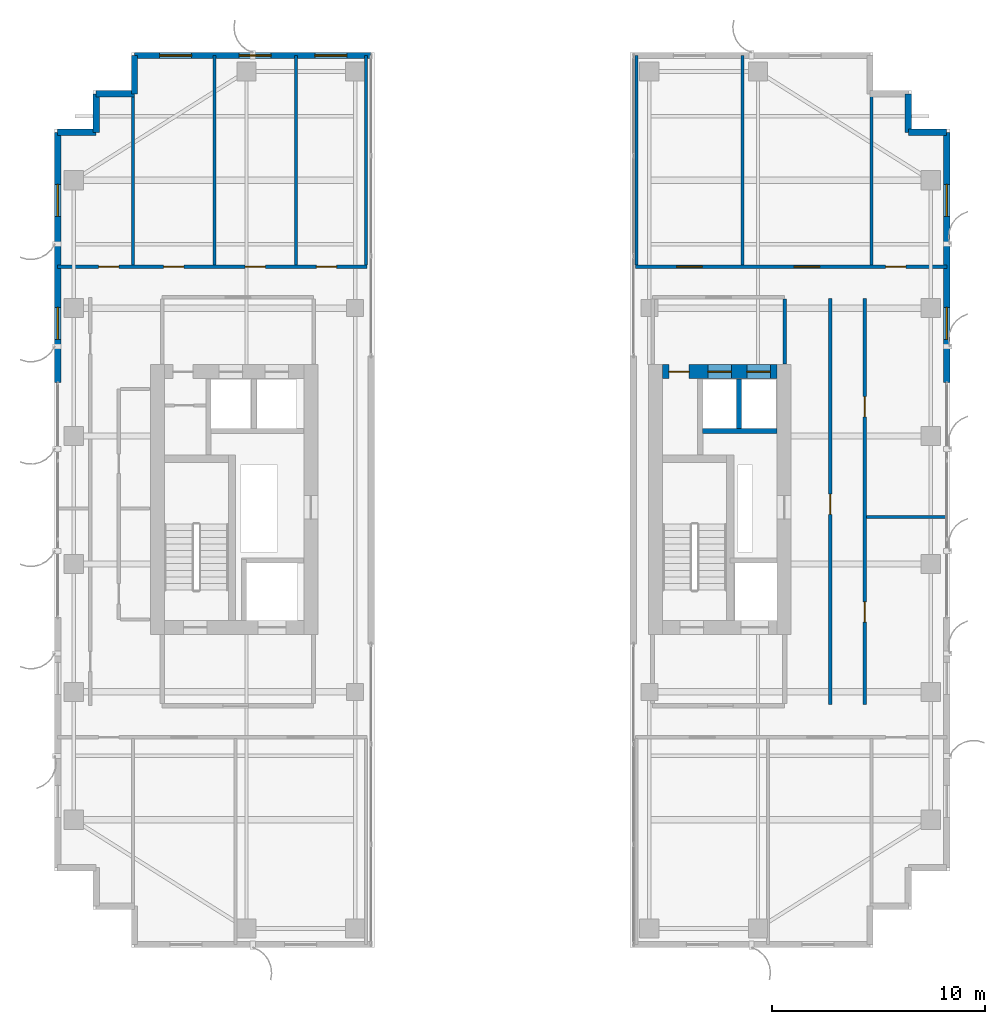
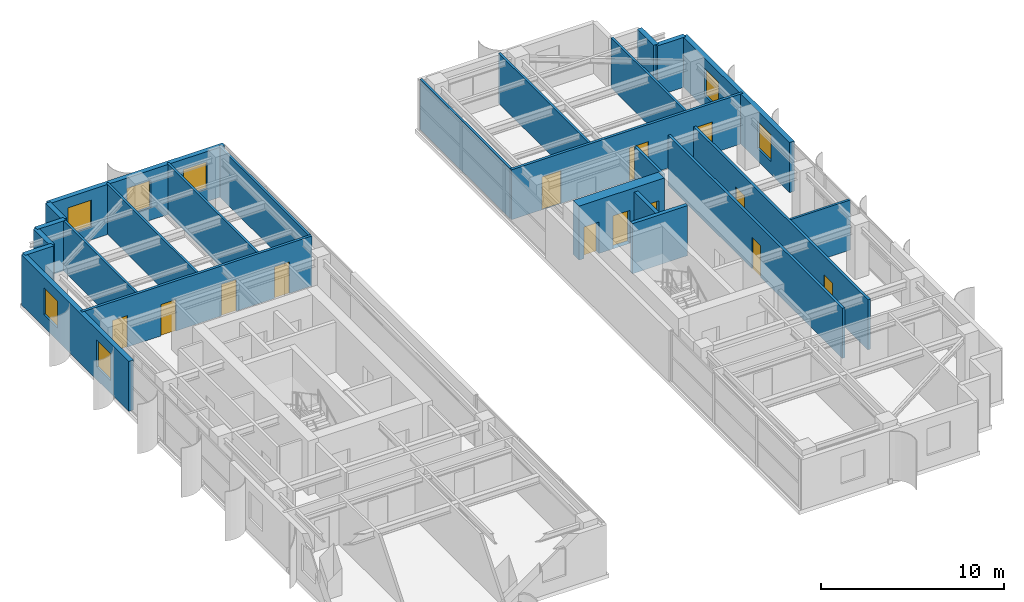
# One storey, part 18 of 22: 25 walls, 13 doors, 7 windows, 20 openings.
"""IFC4 building model written with IfcOpenShell, lengths in metres."""

from ifc_helpers import new_model, si_unit, direction, frame, frame_2d, origin, place, context, subcontext, project, spatial, rectangle, extrude, source, transform, mapped, material, layer, layer_set, type_object, element, fill, save


model = new_model("IFC4")

# Units and contexts
model_context = context("Model", 3, precision=1e-05, world=origin(), true_north=direction((0.0, 1.0)))
body_context = subcontext(model_context, "Body", "Model", "MODEL_VIEW")
ifc_project = project(units=[si_unit("LENGTHUNIT", "METRE"), si_unit("AREAUNIT", "SQUARE_METRE"), si_unit("VOLUMEUNIT", "CUBIC_METRE"), si_unit("PLANEANGLEUNIT", "RADIAN"), si_unit("MASSUNIT", "GRAM", prefix="KILO")], contexts=[model_context])

# Site, building, storey
site_placement = place(None, origin())
site = spatial("IfcSite", under=ifc_project, at=site_placement, CompositionType="ELEMENT")
building_placement = place(site_placement, origin())
building = spatial("IfcBuilding", under=site, at=building_placement, Name="Khoralis Quay Care Tower", CompositionType="ELEMENT")
storey_placement = place(building_placement, frame((0.0, 0.0, 202.5)))
storey = spatial("IfcBuildingStorey", under=building, at=storey_placement, Name="L53", CompositionType="ELEMENT", Elevation=202.5)

# Wall, openings, doors
ifc_material_1 = material(Name="Concrete C65/80", Category="concrete")
ifc_layer_1 = layer(ifc_material_1, 0.64990234375)
ifc_layer_set_1 = layer_set([ifc_layer_1], Name="Concrete C65/80")
wall_type_1 = type_object("IfcWallType", Name="WL-CORE-650", PredefinedType="SHEAR", material=ifc_layer_set_1)
wall_1_placement = place(storey_placement, frame((31.52001953125, 27.02490234375, 0.0), z_axis=(0.0, 0.0, 1.0), x_axis=(1.0, 0.0, 0.0)))
wall_1 = element("IfcWall", 1, at=wall_1_placement, inside=storey, type_object=wall_type_1, Name="L53 ECORE North Shear Wall", PredefinedType="SHEAR", context=body_context, shape_type="SweptSolid", body=[
    extrude(rectangle(XDim=5.3798828125, YDim=0.64990234375, at=frame_2d((2.68994140625, 0.0))), origin(), (0.0, 0.0, 1.0), 3.60009765625),
])
opening_1_placement = place(wall_1_placement, frame((0.300048828125, 0.0, 0.0)))
opening_1 = element("IfcOpeningElement", 2, at=opening_1_placement, cuts=wall_1, Name="Opening ID1", PredefinedType="OPENING", context=body_context, shape_type="SweptSolid", body=[
    extrude(rectangle(XDim=0.949951171875, YDim=2.10009765625, at=frame_2d((0.47509765625, 1.050048828125))), frame((0.0, 0.3349609375, 0.0), z_axis=(0.0, -1.0, 0.0), x_axis=(1.0, 0.0, 0.0)), (0.0, 0.0, 1.0), 0.669921875),
])
opening_2_placement = place(wall_1_placement, frame((2.1298828125, 0.0, 0.0)))
opening_2 = element("IfcOpeningElement", 3, at=opening_2_placement, cuts=wall_1, Name="Opening LD1", PredefinedType="OPENING", context=body_context, shape_type="SweptSolid", body=[
    extrude(rectangle(XDim=1.10009765625, YDim=2.199951171875, at=frame_2d((0.550048828125, 1.10009765625))), frame((0.0, 0.3349609375, 0.0), z_axis=(0.0, -1.0, 0.0), x_axis=(1.0, 0.0, 0.0)), (0.0, 0.0, 1.0), 0.669921875),
])
opening_3_placement = place(wall_1_placement, frame((3.9599609375, 0.0, 0.0)))
opening_3 = element("IfcOpeningElement", 4, at=opening_3_placement, cuts=wall_1, Name="Opening LD1", PredefinedType="OPENING", context=body_context, shape_type="SweptSolid", body=[
    extrude(rectangle(XDim=1.10009765625, YDim=2.199951171875, at=frame_2d((0.550048828125, 1.10009765625))), frame((0.0, 0.3349609375, 0.0), z_axis=(0.0, -1.0, 0.0), x_axis=(1.0, 0.0, 0.0)), (0.0, 0.0, 1.0), 0.669921875),
])
ifc_material_2 = material(Name="Brushed stainless steel", Category="steel")
door_type_1 = type_object("IfcDoorType", Name="DR-LIFT-1100X2200", OperationType="SLIDING_TO_LEFT", PredefinedType="DOOR", material=ifc_material_2)
shared_shape_1 = source(origin(), body_context, "Body", "SweptSolid", [
    extrude(rectangle(XDim=1.10009765625, YDim=2.199951171875, at=frame_2d((0.550048828125, 1.10009765625))), frame((0.0, 0.02490234375, 0.0), z_axis=(0.0, -1.0, 0.0), x_axis=(1.0, 0.0, 0.0)), (0.0, 0.0, 1.0), 0.050048828125),
])
door_1_placement = place(opening_2_placement, origin())
door_1 = element("IfcDoor", 5, at=door_1_placement, inside=storey, type_object=door_type_1, Name="L53 Lift PLM2 Landing Door", OperationType="SLIDING_TO_LEFT", OverallHeight=2.199951171875, OverallWidth=1.10009765625, PredefinedType="DOOR", context=body_context, shape_type="MappedRepresentation", body=[
    mapped(shared_shape_1, transform((0.0, 0.0, 0.0), scale=1.0)),
])
fill(opening_2, door_1)
door_2_placement = place(opening_3_placement, origin())
door_2 = element("IfcDoor", 6, at=door_2_placement, inside=storey, type_object=door_type_1, Name="L53 Lift PLH2 Landing Door", OperationType="SLIDING_TO_LEFT", OverallHeight=2.199951171875, OverallWidth=1.10009765625, PredefinedType="DOOR", context=body_context, shape_type="MappedRepresentation", body=[
    mapped(shared_shape_1, transform((0.0, 0.0, 0.0), scale=1.0)),
])
fill(opening_3, door_2)
ifc_material_3 = material(Name="Acoustic hardwood timber", Category="wood")
door_type_2 = type_object("IfcDoorType", Name="DR-ROOM-950X2100", OperationType="NOTDEFINED", PredefinedType="DOOR", material=ifc_material_3)
shared_shape_2 = source(origin(), body_context, "Body", "SweptSolid", [
    extrude(rectangle(XDim=0.949951171875, YDim=2.10009765625, at=frame_2d((0.47509765625, 1.050048828125))), frame((0.0, 0.02490234375, 0.0), z_axis=(0.0, -1.0, 0.0), x_axis=(1.0, 0.0, 0.0)), (0.0, 0.0, 1.0), 0.050048828125),
])
door_3_placement = place(opening_1_placement, frame((0.949951171875, 0.0, 0.0), z_axis=(0.0, 0.0, 1.0), x_axis=(-1.0, 0.0, 0.0)))
door_3 = element("IfcDoor", 7, at=door_3_placement, inside=storey, type_object=door_type_2, Name="L53 Nutrition Pantry Door", OperationType="SINGLE_SWING_RIGHT", OverallHeight=2.10009765625, OverallWidth=0.949951171875, PredefinedType="DOOR", context=body_context, shape_type="MappedRepresentation", body=[
    mapped(shared_shape_2, transform((0.0, 0.0, 0.0), scale=1.0)),
])
fill(opening_1, door_3)

# Wall
ifc_material_4 = material(Name="Gypsum plasterboard on acoustic metal stud")
ifc_layer_2 = layer(ifc_material_4, 0.1650390625)
ifc_layer_set_2 = layer_set([ifc_layer_2], Name="Gypsum plasterboard on acoustic metal stud")
wall_type_2 = type_object("IfcWallType", Name="WL-CORR-165", PredefinedType="PARTITIONING", material=ifc_layer_set_2)
wall_2_placement = place(storey_placement, frame((37.25, 27.3701171875, 0.0), z_axis=(0.0, 0.0, 1.0), x_axis=(0.0, 1.0, 0.0)))
element("IfcWall", 8, at=wall_2_placement, inside=storey, type_object=wall_type_2, Name="L53 East Lift Lobby East Wall", PredefinedType="PARTITIONING", context=body_context, shape_type="SweptSolid", body=[
    extrude(rectangle(XDim=3.052490234375, YDim=0.1650390625, at=frame_2d((1.5263671875, 0.0))), origin(), (0.0, 0.0, 1.0), 3.340087890625),
])

# Wall, openings, doors
wall_3_placement = place(storey_placement, frame((3.14501953125, 31.949951171875, 0.0), z_axis=(0.0, 0.0, 1.0), x_axis=(1.0, 0.0, 0.0)))
wall_3 = element("IfcWall", 9, at=wall_3_placement, inside=storey, type_object=wall_type_2, Name="L53 West Wing North Corridor Wall", PredefinedType="PARTITIONING", context=body_context, shape_type="SweptSolid", body=[
    extrude(rectangle(XDim=14.5048828125, YDim=0.1650390625, at=frame_2d((7.25244140625, 0.0))), origin(), (0.0, 0.0, 1.0), 3.340087890625),
])
opening_4_placement = place(wall_3_placement, frame((4.969970703125, 0.0, 0.0)))
opening_4 = element("IfcOpeningElement", 10, at=opening_4_placement, cuts=wall_3, Name="Opening ID1", PredefinedType="OPENING", context=body_context, shape_type="SweptSolid", body=[
    extrude(rectangle(XDim=0.949951171875, YDim=2.10009765625, at=frame_2d((0.47509765625, 1.050048828125))), frame((0.0, 0.092529296875, 0.0), z_axis=(0.0, -1.0, 0.0), x_axis=(1.0, 0.0, 0.0)), (0.0, 0.0, 1.0), 0.18505859375),
])
opening_5_placement = place(wall_3_placement, frame((8.7900390625, 0.0, 0.0)))
opening_5 = element("IfcOpeningElement", 11, at=opening_5_placement, cuts=wall_3, Name="Opening ID1", PredefinedType="OPENING", context=body_context, shape_type="SweptSolid", body=[
    extrude(rectangle(XDim=0.949951171875, YDim=2.10009765625, at=frame_2d((0.47509765625, 1.050048828125))), frame((0.0, 0.092529296875, 0.0), z_axis=(0.0, -1.0, 0.0), x_axis=(1.0, 0.0, 0.0)), (0.0, 0.0, 1.0), 0.18505859375),
])
opening_6_placement = place(wall_3_placement, frame((12.139892578125, 0.0, 0.0)))
opening_6 = element("IfcOpeningElement", 12, at=opening_6_placement, cuts=wall_3, Name="Opening ID1", PredefinedType="OPENING", context=body_context, shape_type="SweptSolid", body=[
    extrude(rectangle(XDim=0.949951171875, YDim=2.10009765625, at=frame_2d((0.47509765625, 1.050048828125))), frame((0.0, 0.092529296875, 0.0), z_axis=(0.0, -1.0, 0.0), x_axis=(1.0, 0.0, 0.0)), (0.0, 0.0, 1.0), 0.18505859375),
])
opening_7_placement = place(wall_3_placement, frame((1.919921875, 0.0, 0.0)))
opening_7 = element("IfcOpeningElement", 13, at=opening_7_placement, cuts=wall_3, Name="Opening ID1", PredefinedType="OPENING", context=body_context, shape_type="SweptSolid", body=[
    extrude(rectangle(XDim=0.949951171875, YDim=2.10009765625, at=frame_2d((0.47509765625, 1.050048828125))), frame((0.0, 0.092529296875, 0.0), z_axis=(0.0, -1.0, 0.0), x_axis=(1.0, 0.0, 0.0)), (0.0, 0.0, 1.0), 0.18505859375),
])
door_4_placement = place(opening_4_placement, origin())
door_4 = element("IfcDoor", 14, at=door_4_placement, inside=storey, type_object=door_type_2, Name="L53 Care Coordination Office Door", OperationType="SINGLE_SWING_LEFT", OverallHeight=2.10009765625, OverallWidth=0.949951171875, PredefinedType="DOOR", context=body_context, shape_type="MappedRepresentation", body=[
    mapped(shared_shape_2, transform((0.0, 0.0, 0.0), scale=1.0)),
])
fill(opening_4, door_4)
door_5_placement = place(opening_5_placement, origin())
door_5 = element("IfcDoor", 15, at=door_5_placement, inside=storey, type_object=door_type_2, Name="L53 Family Case Conference Room Door", OperationType="SINGLE_SWING_RIGHT", OverallHeight=2.10009765625, OverallWidth=0.949951171875, PredefinedType="DOOR", context=body_context, shape_type="MappedRepresentation", body=[
    mapped(shared_shape_2, transform((0.0, 0.0, 0.0), scale=1.0)),
])
fill(opening_5, door_5)
door_6_placement = place(opening_6_placement, origin())
door_6 = element("IfcDoor", 16, at=door_6_placement, inside=storey, type_object=door_type_2, Name="L53 Care Coordination Office Door", OperationType="SINGLE_SWING_LEFT", OverallHeight=2.10009765625, OverallWidth=0.949951171875, PredefinedType="DOOR", context=body_context, shape_type="MappedRepresentation", body=[
    mapped(shared_shape_2, transform((0.0, 0.0, 0.0), scale=1.0)),
])
fill(opening_6, door_6)
door_7_placement = place(opening_7_placement, origin())
door_7 = element("IfcDoor", 17, at=door_7_placement, inside=storey, type_object=door_type_2, Name="L53 NW Corner Door", OperationType="SINGLE_SWING_RIGHT", OverallHeight=2.10009765625, OverallWidth=0.949951171875, PredefinedType="DOOR", context=body_context, shape_type="MappedRepresentation", body=[
    mapped(shared_shape_2, transform((0.0, 0.0, 0.0), scale=1.0)),
])
fill(opening_7, door_7)

wall_4_placement = place(storey_placement, frame((30.25, 31.949951171875, 0.0), z_axis=(0.0, 0.0, 1.0), x_axis=(1.0, 0.0, 0.0)))
wall_4 = element("IfcWall", 18, at=wall_4_placement, inside=storey, type_object=wall_type_2, Name="L53 East Wing North Corridor Wall", PredefinedType="PARTITIONING", context=body_context, shape_type="SweptSolid", body=[
    extrude(rectangle(XDim=14.60498046875, YDim=0.1650390625, at=frame_2d((7.302490234375, 0.0))), origin(), (0.0, 0.0, 1.0), 3.340087890625),
])
opening_8_placement = place(wall_4_placement, frame((1.929931640625, 0.0, 0.0)))
opening_8 = element("IfcOpeningElement", 19, at=opening_8_placement, cuts=wall_4, Name="Opening FD1", PredefinedType="OPENING", context=body_context, shape_type="SweptSolid", body=[
    extrude(rectangle(XDim=1.199951171875, YDim=2.199951171875, at=frame_2d((0.60009765625, 1.10009765625))), frame((0.0, 0.092529296875, 0.0), z_axis=(0.0, -1.0, 0.0), x_axis=(1.0, 0.0, 0.0)), (0.0, 0.0, 1.0), 0.18505859375),
])
opening_9_placement = place(wall_4_placement, frame((7.43994140625, 0.0, 0.0)))
opening_9 = element("IfcOpeningElement", 20, at=opening_9_placement, cuts=wall_4, Name="Opening FD1", PredefinedType="OPENING", context=body_context, shape_type="SweptSolid", body=[
    extrude(rectangle(XDim=1.199951171875, YDim=2.199951171875, at=frame_2d((0.60009765625, 1.10009765625))), frame((0.0, 0.092529296875, 0.0), z_axis=(0.0, -1.0, 0.0), x_axis=(1.0, 0.0, 0.0)), (0.0, 0.0, 1.0), 0.18505859375),
])
opening_10_placement = place(wall_4_placement, frame((11.735107421875, 0.0, 0.0)))
opening_10 = element("IfcOpeningElement", 21, at=opening_10_placement, cuts=wall_4, Name="Opening ID1", PredefinedType="OPENING", context=body_context, shape_type="SweptSolid", body=[
    extrude(rectangle(XDim=0.949951171875, YDim=2.10009765625, at=frame_2d((0.47509765625, 1.050048828125))), frame((0.0, 0.092529296875, 0.0), z_axis=(0.0, -1.0, 0.0), x_axis=(1.0, 0.0, 0.0)), (0.0, 0.0, 1.0), 0.18505859375),
])
ifc_material_5 = material(Name="Fire-rated painted steel", Category="steel")
door_type_3 = type_object("IfcDoorType", Name="DR-FFL-1200X2200", OperationType="NOTDEFINED", PredefinedType="DOOR", material=ifc_material_5)
shared_shape_3 = source(origin(), body_context, "Body", "SweptSolid", [
    extrude(rectangle(XDim=1.199951171875, YDim=2.199951171875, at=frame_2d((0.60009765625, 1.10009765625))), frame((0.0, 0.02490234375, 0.0), z_axis=(0.0, -1.0, 0.0), x_axis=(1.0, 0.0, 0.0)), (0.0, 0.0, 1.0), 0.050048828125),
])
door_8_placement = place(opening_8_placement, origin())
door_8 = element("IfcDoor", 22, at=door_8_placement, inside=storey, type_object=door_type_3, Name="L53 Senior Wellness Pharmacy Shop Door", OperationType="DOUBLE_DOOR_SINGLE_SWING", OverallHeight=2.199951171875, OverallWidth=1.199951171875, PredefinedType="DOOR", context=body_context, shape_type="MappedRepresentation", body=[
    mapped(shared_shape_3, transform((0.0, 0.0, 0.0), scale=1.0)),
])
fill(opening_8, door_8)
door_9_placement = place(opening_9_placement, origin())
door_9 = element("IfcDoor", 23, at=door_9_placement, inside=storey, type_object=door_type_3, Name="L53 Senior Wellness Pharmacy Shop Door", OperationType="DOUBLE_DOOR_SINGLE_SWING", OverallHeight=2.199951171875, OverallWidth=1.199951171875, PredefinedType="DOOR", context=body_context, shape_type="MappedRepresentation", body=[
    mapped(shared_shape_3, transform((0.0, 0.0, 0.0), scale=1.0)),
])
fill(opening_9, door_9)
door_10_placement = place(opening_10_placement, origin())
door_10 = element("IfcDoor", 24, at=door_10_placement, inside=storey, type_object=door_type_2, Name="L53 NE Corner Door", OperationType="SINGLE_SWING_LEFT", OverallHeight=2.10009765625, OverallWidth=0.949951171875, PredefinedType="DOOR", context=body_context, shape_type="MappedRepresentation", body=[
    mapped(shared_shape_2, transform((0.0, 0.0, 0.0), scale=1.0)),
])
fill(opening_10, door_10)

wall_5_placement = place(storey_placement, frame((41.0, 11.39990234375, 0.0), z_axis=(0.0, 0.0, 1.0), x_axis=(0.0, 1.0, 0.0)))
wall_5 = element("IfcWall", 25, at=wall_5_placement, inside=storey, type_object=wall_type_2, Name="L53 East Gallery Wall", PredefinedType="PARTITIONING", context=body_context, shape_type="SweptSolid", body=[
    extrude(rectangle(XDim=19.050048828125, YDim=0.1650390625, at=frame_2d((9.52490234375, 0.0))), origin(), (0.0, 0.0, 1.0), 3.340087890625),
])
opening_11_placement = place(wall_5_placement, frame((3.875, 0.0, 0.0)))
opening_11 = element("IfcOpeningElement", 26, at=opening_11_placement, cuts=wall_5, Name="Opening ID1", PredefinedType="OPENING", context=body_context, shape_type="SweptSolid", body=[
    extrude(rectangle(XDim=0.949951171875, YDim=2.10009765625, at=frame_2d((0.47509765625, 1.050048828125))), frame((0.0, 0.092529296875, 0.0), z_axis=(0.0, -1.0, 0.0), x_axis=(1.0, 0.0, 0.0)), (0.0, 0.0, 1.0), 0.18505859375),
])
opening_12_placement = place(wall_5_placement, frame((13.5, 0.0, 0.0)))
opening_12 = element("IfcOpeningElement", 27, at=opening_12_placement, cuts=wall_5, Name="Opening ID1", PredefinedType="OPENING", context=body_context, shape_type="SweptSolid", body=[
    extrude(rectangle(XDim=0.949951171875, YDim=2.10009765625, at=frame_2d((0.47509765625, 1.050048828125))), frame((0.0, 0.092529296875, 0.0), z_axis=(0.0, -1.0, 0.0), x_axis=(1.0, 0.0, 0.0)), (0.0, 0.0, 1.0), 0.18505859375),
])
door_11_placement = place(opening_11_placement, origin())
door_11 = element("IfcDoor", 28, at=door_11_placement, inside=storey, type_object=door_type_2, Name="L53 East Waterfront Rehab Clinic Door", OperationType="SINGLE_SWING_LEFT", OverallHeight=2.10009765625, OverallWidth=0.949951171875, PredefinedType="DOOR", context=body_context, shape_type="MappedRepresentation", body=[
    mapped(shared_shape_2, transform((0.0, 0.0, 0.0), scale=1.0)),
])
fill(opening_11, door_11)
door_12_placement = place(opening_12_placement, origin())
door_12 = element("IfcDoor", 29, at=door_12_placement, inside=storey, type_object=door_type_2, Name="L53 East Bay Communal Dining Room Door", OperationType="SINGLE_SWING_RIGHT", OverallHeight=2.10009765625, OverallWidth=0.949951171875, PredefinedType="DOOR", context=body_context, shape_type="MappedRepresentation", body=[
    mapped(shared_shape_2, transform((0.0, 0.0, 0.0), scale=1.0)),
])
fill(opening_12, door_12)

# Wall, opening, door
wall_6_placement = place(storey_placement, frame((39.3798828125, 11.39990234375, 0.0), z_axis=(0.0, 0.0, 1.0), x_axis=(0.0, 1.0, 0.0)))
wall_6 = element("IfcWall", 30, at=wall_6_placement, inside=storey, type_object=wall_type_2, Name="L53 East Inner Clinic Wall", PredefinedType="PARTITIONING", context=body_context, shape_type="SweptSolid", body=[
    extrude(rectangle(XDim=19.050048828125, YDim=0.1650390625, at=frame_2d((9.52490234375, 0.0))), origin(), (0.0, 0.0, 1.0), 3.340087890625),
])
opening_13_placement = place(wall_6_placement, frame((8.925048828125, 0.0, 0.0)))
opening_13 = element("IfcOpeningElement", 31, at=opening_13_placement, cuts=wall_6, Name="Opening ID1", PredefinedType="OPENING", context=body_context, shape_type="SweptSolid", body=[
    extrude(rectangle(XDim=0.949951171875, YDim=2.10009765625, at=frame_2d((0.47509765625, 1.050048828125))), frame((0.0, 0.092529296875, 0.0), z_axis=(0.0, -1.0, 0.0), x_axis=(1.0, 0.0, 0.0)), (0.0, 0.0, 1.0), 0.18505859375),
])
door_13_placement = place(opening_13_placement, frame((0.949951171875, 0.0, 0.0), z_axis=(0.0, 0.0, 1.0), x_axis=(-1.0, 0.0, 0.0)))
door_13 = element("IfcDoor", 32, at=door_13_placement, inside=storey, type_object=door_type_2, Name="L53 East Rehab Therapy Door", OperationType="SINGLE_SWING_LEFT", OverallHeight=2.10009765625, OverallWidth=0.949951171875, PredefinedType="DOOR", context=body_context, shape_type="MappedRepresentation", body=[
    mapped(shared_shape_2, transform((0.0, 0.0, 0.0), scale=1.0)),
])
fill(opening_13, door_13)

# Wall, openings, windows
ifc_material_6 = material(Name="Precast concrete C45/55", Category="concrete")
ifc_layer_3 = layer(ifc_material_6, 0.300048828125)
ifc_layer_set_3 = layer_set([ifc_layer_3], Name="Precast concrete C45/55")
wall_type_3 = type_object("IfcWallType", Name="WL-EXT-REF-300", PredefinedType="SOLIDWALL", material=ifc_layer_set_3)
wall_7_placement = place(storey_placement, frame((17.85009765625, 41.85009765625, 0.0), z_axis=(0.0, 0.0, 1.0), x_axis=(-1.0, 0.0, 0.0)))
wall_7 = element("IfcWall", 33, at=wall_7_placement, inside=storey, type_object=wall_type_3, Name="L53 External Facade Wall WL-EXT-L53-P1-E2", PredefinedType="SOLIDWALL", context=body_context, shape_type="SweptSolid", body=[
    extrude(rectangle(XDim=11.10009765625, YDim=0.300048828125, at=frame_2d((5.550048828125, 0.0))), origin(), (0.0, 0.0, 1.0), 3.340087890625),
])
opening_14_placement = place(wall_7_placement, frame((1.139892578125, 0.0, 0.85009765625)))
opening_14 = element("IfcOpeningElement", 34, at=opening_14_placement, cuts=wall_7, Name="Opening W3", PredefinedType="OPENING", context=body_context, shape_type="SweptSolid", body=[
    extrude(rectangle(XDim=1.5, YDim=1.800048828125, at=frame_2d((0.75, 0.89990234375))), frame((0.0, 0.16015625, 0.0), z_axis=(0.0, -1.0, 0.0), x_axis=(1.0, 0.0, 0.0)), (0.0, 0.0, 1.0), 0.320068359375),
])
opening_15_placement = place(wall_7_placement, frame((4.68994140625, 0.0, 0.85009765625)))
opening_15 = element("IfcOpeningElement", 35, at=opening_15_placement, cuts=wall_7, Name="Opening W3", PredefinedType="OPENING", context=body_context, shape_type="SweptSolid", body=[
    extrude(rectangle(XDim=1.5, YDim=1.800048828125, at=frame_2d((0.75, 0.89990234375))), frame((0.0, 0.16015625, 0.0), z_axis=(0.0, -1.0, 0.0), x_axis=(1.0, 0.0, 0.0)), (0.0, 0.0, 1.0), 0.320068359375),
])
opening_16_placement = place(wall_7_placement, frame((8.425048828125, 0.0, 0.85009765625)))
opening_16 = element("IfcOpeningElement", 36, at=opening_16_placement, cuts=wall_7, Name="Opening W3", PredefinedType="OPENING", context=body_context, shape_type="SweptSolid", body=[
    extrude(rectangle(XDim=1.5, YDim=1.800048828125, at=frame_2d((0.75, 0.89990234375))), frame((0.0, 0.16015625, 0.0), z_axis=(0.0, -1.0, 0.0), x_axis=(1.0, 0.0, 0.0)), (0.0, 0.0, 1.0), 0.320068359375),
])
ifc_material_7 = material(Name="Low-E solar-control double glazing", Category="glass")
window_type = type_object("IfcWindowType", Name="WN-CLIN-1500X1800", PartitioningType="SINGLE_PANEL", PredefinedType="WINDOW", material=ifc_material_7)
shared_shape_4 = source(origin(), body_context, "Body", "SweptSolid", [
    extrude(rectangle(XDim=1.5, YDim=1.800048828125, at=frame_2d((0.75, 0.89990234375))), frame((0.0, 0.030029296875, 0.0), z_axis=(0.0, -1.0, 0.0), x_axis=(1.0, 0.0, 0.0)), (0.0, 0.0, 1.0), 0.06005859375),
])
window_1_placement = place(opening_14_placement, origin())
window_1 = element("IfcWindow", 37, at=window_1_placement, inside=storey, type_object=window_type, Name="WN-L53-P1-E2 Facade Window 01", OverallHeight=1.800048828125, OverallWidth=1.5, PartitioningType="SINGLE_PANEL", PredefinedType="WINDOW", context=body_context, shape_type="MappedRepresentation", body=[
    mapped(shared_shape_4, transform((0.0, 0.0, 0.0), scale=1.0)),
])
fill(opening_14, window_1)
window_2_placement = place(opening_15_placement, origin())
window_2 = element("IfcWindow", 38, at=window_2_placement, inside=storey, type_object=window_type, Name="WN-L53-P1-E2 Facade Window 02", OverallHeight=1.800048828125, OverallWidth=1.5, PartitioningType="SINGLE_PANEL", PredefinedType="WINDOW", context=body_context, shape_type="MappedRepresentation", body=[
    mapped(shared_shape_4, transform((0.0, 0.0, 0.0), scale=1.0)),
])
fill(opening_15, window_2)
window_3_placement = place(opening_16_placement, origin())
window_3 = element("IfcWindow", 39, at=window_3_placement, inside=storey, type_object=window_type, Name="WN-L53-P1-E2 Facade Window 03", OverallHeight=1.800048828125, OverallWidth=1.5, PartitioningType="SINGLE_PANEL", PredefinedType="WINDOW", context=body_context, shape_type="MappedRepresentation", body=[
    mapped(shared_shape_4, transform((0.0, 0.0, 0.0), scale=1.0)),
])
fill(opening_16, window_3)

# Walls
for number, where, z_axis, x_axis, name in (
    (40, (6.75, 41.85009765625, 0.0), (0.0, 0.0, 1.0), (0.0, -1.0, 0.0), "L53 External Facade Wall WL-EXT-L53-P1-C3"),
    (41, (6.75, 40.050048828125, 0.0), (0.0, 0.0, 1.0), (-1.0, 0.0, 0.0), "L53 External Facade Wall WL-EXT-L53-P1-C4"),
    (42, (4.949951171875, 40.050048828125, 0.0), (0.0, 0.0, 1.0), (0.0, -1.0, 0.0), "L53 External Facade Wall WL-EXT-L53-P1-C5"),
    (43, (4.949951171875, 38.25, 0.0), (0.0, 0.0, 1.0), (-1.0, 0.0, 0.0), "L53 External Facade Wall WL-EXT-L53-P1-C6"),
):
    element("IfcWall", number, at=place(storey_placement, frame(where, z_axis=z_axis, x_axis=x_axis)), inside=storey, type_object=wall_type_3, Name=name, PredefinedType="SOLIDWALL", context=body_context, shape_type="SweptSolid", body=[
        extrude(rectangle(XDim=1.800048828125, YDim=0.300048828125, at=frame_2d((0.89990234375, 0.0))), origin(), (0.0, 0.0, 1.0), 3.340087890625),
    ])

# Wall, openings, windows
wall_8_placement = place(storey_placement, frame((3.14990234375, 38.25, 0.0), z_axis=(0.0, 0.0, 1.0), x_axis=(0.0, -1.0, 0.0)))
wall_8 = element("IfcWall", 44, at=wall_8_placement, inside=storey, type_object=wall_type_3, Name="L53 External Facade Wall WL-EXT-L53-P1-E7A", PredefinedType="SOLIDWALL", context=body_context, shape_type="SweptSolid", body=[
    extrude(rectangle(XDim=11.72998046875, YDim=0.300048828125, at=frame_2d((5.864990234375, 0.0))), origin(), (0.0, 0.0, 1.0), 3.340087890625),
])
opening_17_placement = place(wall_8_placement, frame((2.449951171875, 0.0, 0.85009765625)))
opening_17 = element("IfcOpeningElement", 45, at=opening_17_placement, cuts=wall_8, Name="Opening W3", PredefinedType="OPENING", context=body_context, shape_type="SweptSolid", body=[
    extrude(rectangle(XDim=1.5, YDim=1.800048828125, at=frame_2d((0.75, 0.89990234375))), frame((0.0, 0.16015625, 0.0), z_axis=(0.0, -1.0, 0.0), x_axis=(1.0, 0.0, 0.0)), (0.0, 0.0, 1.0), 0.320068359375),
])
opening_18_placement = place(wall_8_placement, frame((8.215087890625, 0.0, 0.85009765625)))
opening_18 = element("IfcOpeningElement", 46, at=opening_18_placement, cuts=wall_8, Name="Opening W3", PredefinedType="OPENING", context=body_context, shape_type="SweptSolid", body=[
    extrude(rectangle(XDim=1.5, YDim=1.800048828125, at=frame_2d((0.75, 0.89990234375))), frame((0.0, 0.16015625, 0.0), z_axis=(0.0, -1.0, 0.0), x_axis=(1.0, 0.0, 0.0)), (0.0, 0.0, 1.0), 0.320068359375),
])
window_4_placement = place(opening_17_placement, origin())
window_4 = element("IfcWindow", 47, at=window_4_placement, inside=storey, type_object=window_type, Name="WN-L53-P1-E7A Facade Window 01", OverallHeight=1.800048828125, OverallWidth=1.5, PartitioningType="SINGLE_PANEL", PredefinedType="WINDOW", context=body_context, shape_type="MappedRepresentation", body=[
    mapped(shared_shape_4, transform((0.0, 0.0, 0.0), scale=1.0)),
])
fill(opening_17, window_4)
window_5_placement = place(opening_18_placement, origin())
window_5 = element("IfcWindow", 48, at=window_5_placement, inside=storey, type_object=window_type, Name="WN-L53-P1-E7A Facade Window 02", OverallHeight=1.800048828125, OverallWidth=1.5, PartitioningType="SINGLE_PANEL", PredefinedType="WINDOW", context=body_context, shape_type="MappedRepresentation", body=[
    mapped(shared_shape_4, transform((0.0, 0.0, 0.0), scale=1.0)),
])
fill(opening_18, window_5)

wall_9_placement = place(storey_placement, frame((44.85009765625, 26.52001953125, 0.0), z_axis=(0.0, 0.0, 1.0), x_axis=(0.0, 1.0, 0.0)))
wall_9 = element("IfcWall", 49, at=wall_9_placement, inside=storey, type_object=wall_type_3, Name="L53 External Facade Wall WL-EXT-L53-P2-E5B", PredefinedType="SOLIDWALL", context=body_context, shape_type="SweptSolid", body=[
    extrude(rectangle(XDim=11.72998046875, YDim=0.300048828125, at=frame_2d((5.864990234375, 0.0))), origin(), (0.0, 0.0, 1.0), 3.340087890625),
])
opening_19_placement = place(wall_9_placement, frame((2.014892578125, 0.0, 0.85009765625)))
opening_19 = element("IfcOpeningElement", 50, at=opening_19_placement, cuts=wall_9, Name="Opening W3", PredefinedType="OPENING", context=body_context, shape_type="SweptSolid", body=[
    extrude(rectangle(XDim=1.5, YDim=1.800048828125, at=frame_2d((0.75, 0.89990234375))), frame((0.0, 0.16015625, 0.0), z_axis=(0.0, -1.0, 0.0), x_axis=(1.0, 0.0, 0.0)), (0.0, 0.0, 1.0), 0.320068359375),
])
opening_20_placement = place(wall_9_placement, frame((7.780029296875, 0.0, 0.85009765625)))
opening_20 = element("IfcOpeningElement", 51, at=opening_20_placement, cuts=wall_9, Name="Opening W3", PredefinedType="OPENING", context=body_context, shape_type="SweptSolid", body=[
    extrude(rectangle(XDim=1.5, YDim=1.800048828125, at=frame_2d((0.75, 0.89990234375))), frame((0.0, 0.16015625, 0.0), z_axis=(0.0, -1.0, 0.0), x_axis=(1.0, 0.0, 0.0)), (0.0, 0.0, 1.0), 0.320068359375),
])
window_6_placement = place(opening_19_placement, origin())
window_6 = element("IfcWindow", 52, at=window_6_placement, inside=storey, type_object=window_type, Name="WN-L53-P2-E5B Facade Window 01", OverallHeight=1.800048828125, OverallWidth=1.5, PartitioningType="SINGLE_PANEL", PredefinedType="WINDOW", context=body_context, shape_type="MappedRepresentation", body=[
    mapped(shared_shape_4, transform((0.0, 0.0, 0.0), scale=1.0)),
])
fill(opening_19, window_6)
window_7_placement = place(opening_20_placement, origin())
window_7 = element("IfcWindow", 53, at=window_7_placement, inside=storey, type_object=window_type, Name="WN-L53-P2-E5B Facade Window 02", OverallHeight=1.800048828125, OverallWidth=1.5, PartitioningType="SINGLE_PANEL", PredefinedType="WINDOW", context=body_context, shape_type="MappedRepresentation", body=[
    mapped(shared_shape_4, transform((0.0, 0.0, 0.0), scale=1.0)),
])
fill(opening_20, window_7)

# Walls
for number, where, z_axis, x_axis, name in (
    (54, (44.85009765625, 38.25, 0.0), (0.0, 0.0, 1.0), (-1.0, 0.0, 0.0), "L53 External Facade Wall WL-EXT-L53-P2-C6"),
    (55, (43.050048828125, 38.25, 0.0), (0.0, 0.0, 1.0), (0.0, 1.0, 0.0), "L53 External Facade Wall WL-EXT-L53-P2-C7"),
):
    element("IfcWall", number, at=place(storey_placement, frame(where, z_axis=z_axis, x_axis=x_axis)), inside=storey, type_object=wall_type_3, Name=name, PredefinedType="SOLIDWALL", context=body_context, shape_type="SweptSolid", body=[
        extrude(rectangle(XDim=1.800048828125, YDim=0.300048828125, at=frame_2d((0.89990234375, 0.0))), origin(), (0.0, 0.0, 1.0), 3.340087890625),
    ])
ifc_layer_4 = layer(ifc_material_4, 0.239990234375)
ifc_layer_set_4 = layer_set([ifc_layer_4], Name="Gypsum plasterboard on acoustic metal stud")
wall_type_4 = type_object("IfcWallType", Name="WL-SHAFT-240", PredefinedType="PARTITIONING", material=ifc_layer_set_4)
wall_10_placement = place(storey_placement, frame((33.405029296875, 24.22998046875, 0.0), z_axis=(0.0, 0.0, 1.0), x_axis=(1.0, 0.0, 0.0)))
element("IfcWall", 56, at=wall_10_placement, inside=storey, type_object=wall_type_4, Name="L53 Active Shaft South Wall East", PredefinedType="PARTITIONING", context=body_context, shape_type="SweptSolid", body=[
    extrude(rectangle(XDim=3.474853515625, YDim=0.239990234375, at=frame_2d((1.7373046875, 0.0))), origin(), (0.0, 0.0, 1.0), 3.340087890625),
])
wall_11_placement = place(storey_placement, frame((35.110107421875, 24.344970703125, 0.0), z_axis=(0.0, 0.0, 1.0), x_axis=(0.0, 1.0, 0.0)))
element("IfcWall", 57, at=wall_11_placement, inside=storey, type_object=wall_type_4, Name="L53 East Shaft Divider 2", PredefinedType="PARTITIONING", context=body_context, shape_type="SweptSolid", body=[
    extrude(rectangle(XDim=2.3349609375, YDim=0.239990234375, at=frame_2d((1.16748046875, 0.0))), origin(), (0.0, 0.0, 1.0), 3.340087890625),
])
ifc_layer_5 = layer(ifc_material_4, 0.139892578125)
ifc_layer_set_5 = layer_set([ifc_layer_5], Name="Gypsum plasterboard on acoustic metal stud")
wall_type_5 = type_object("IfcWallType", Name="WL-UNIT-140", PredefinedType="PARTITIONING", material=ifc_layer_set_5)
wall_12_placement = place(storey_placement, frame((41.077392578125, 20.199951171875, 0.0), z_axis=(0.0, 0.0, 1.0), x_axis=(1.0, 0.0, 0.0)))
element("IfcWall", 58, at=wall_12_placement, inside=storey, type_object=wall_type_5, Name="L53 East Mid Split", PredefinedType="PARTITIONING", context=body_context, shape_type="SweptSolid", body=[
    extrude(rectangle(XDim=3.777587890625, YDim=0.139892578125, at=frame_2d((1.888671875, 0.0))), origin(), (0.0, 0.0, 1.0), 3.340087890625),
])
wall_13_placement = place(storey_placement, frame((6.679931640625, 32.027587890625, 0.0), z_axis=(0.0, 0.0, 1.0), x_axis=(0.0, 1.0, 0.0)))
element("IfcWall", 59, at=wall_13_placement, inside=storey, type_object=wall_type_5, Name="L53 WN Demising Wall 0", PredefinedType="PARTITIONING", context=body_context, shape_type="SweptSolid", body=[
    extrude(rectangle(XDim=8.02734375, YDim=0.139892578125, at=frame_2d((4.013671875, 0.0))), origin(), (0.0, 0.0, 1.0), 3.340087890625),
])
for number, where, z_axis, x_axis, name in (
    (60, (10.5, 32.027587890625, 0.0), (0.0, 0.0, 1.0), (0.0, 1.0, 0.0), "L53 WN Demising Wall 1"),
    (61, (14.320068359375, 32.027587890625, 0.0), (0.0, 0.0, 1.0), (0.0, 1.0, 0.0), "L53 WN Demising Wall 2"),
    (62, (17.60009765625, 32.027587890625, 0.0), (0.0, 0.0, 1.0), (0.0, 1.0, 0.0), "L53 WN Demising Wall 3"),
    (63, (30.300048828125, 32.027587890625, 0.0), (0.0, 0.0, 1.0), (0.0, 1.0, 0.0), "L53 EN Demising Wall 0"),
    (64, (35.260009765625, 32.027587890625, 0.0), (0.0, 0.0, 1.0), (0.0, 1.0, 0.0), "L53 EN Demising Wall 1"),
):
    element("IfcWall", number, at=place(storey_placement, frame(where, z_axis=z_axis, x_axis=x_axis)), inside=storey, type_object=wall_type_5, Name=name, PredefinedType="PARTITIONING", context=body_context, shape_type="SweptSolid", body=[
        extrude(rectangle(XDim=9.827392578125, YDim=0.139892578125, at=frame_2d((4.91357421875, 0.0))), origin(), (0.0, 0.0, 1.0), 3.340087890625),
    ])
wall_14_placement = place(storey_placement, frame((41.320068359375, 32.027587890625, 0.0), z_axis=(0.0, 0.0, 1.0), x_axis=(0.0, 1.0, 0.0)))
element("IfcWall", 65, at=wall_14_placement, inside=storey, type_object=wall_type_5, Name="L53 EN Demising Wall 2", PredefinedType="PARTITIONING", context=body_context, shape_type="SweptSolid", body=[
    extrude(rectangle(XDim=8.02734375, YDim=0.139892578125, at=frame_2d((4.013671875, 0.0))), origin(), (0.0, 0.0, 1.0), 3.340087890625),
])

save(model, "model.ifc")
